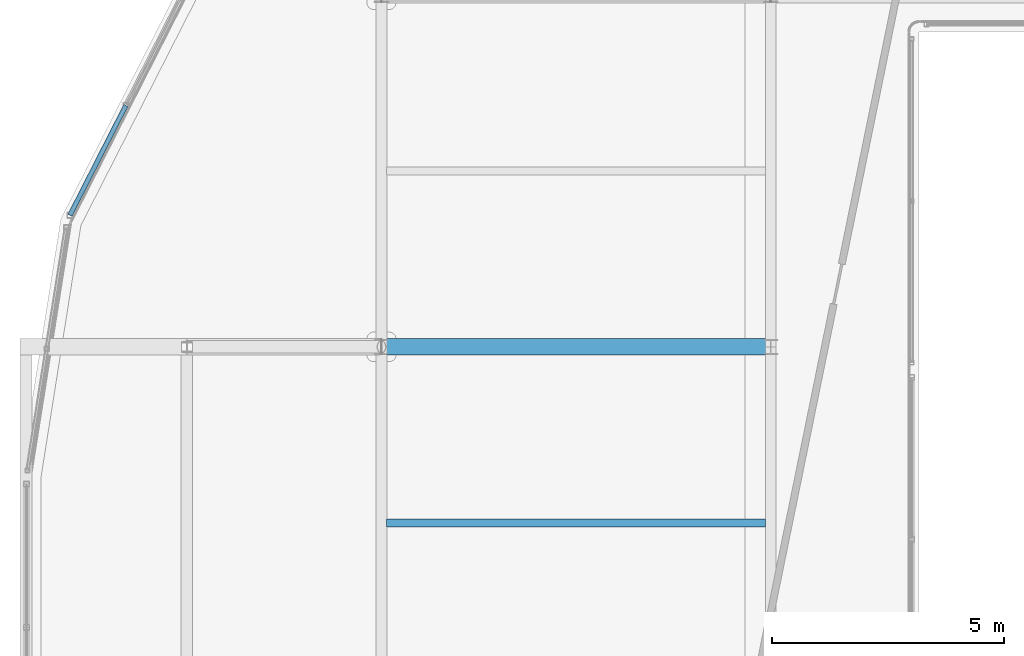
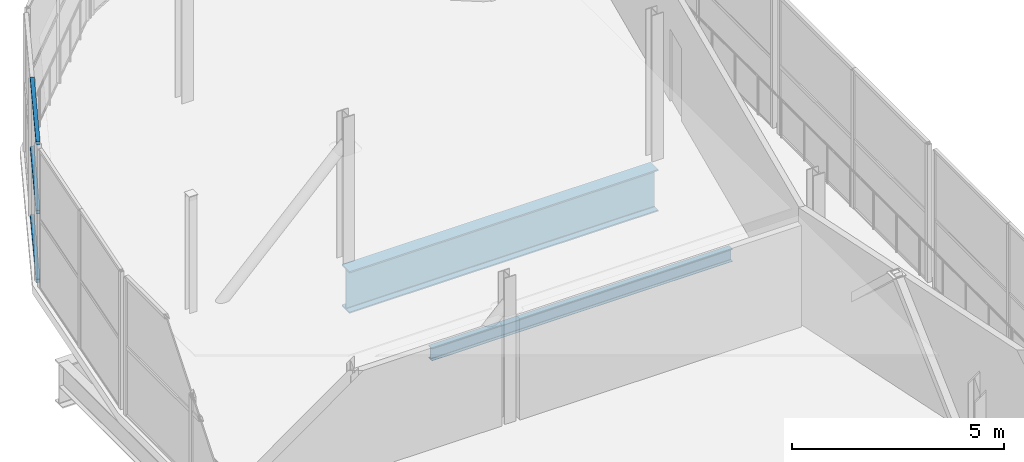
# One storey, part 52 of 151: 3 members, 2 beams, 1 element without a shape of its own.
"""IFC4 building model written with IfcOpenShell, lengths in metres."""

from ifc_helpers import new_model, si_unit, direction, frame, origin, origin_2d, place, context, subcontext, project, spatial, hollow_rectangle, i_section, extrude, material, material_profile, profile_set, type_object, element, aggregate, save


model = new_model("IFC4")

# Units and contexts
model_context = context("Model", 3, precision=1e-05, world=origin(), true_north=direction((0.0, 1.0)))
body_context = subcontext(model_context, "Body", "Model", "MODEL_VIEW")
ifc_project = project(units=[si_unit("LENGTHUNIT", "METRE"), si_unit("AREAUNIT", "SQUARE_METRE"), si_unit("VOLUMEUNIT", "CUBIC_METRE"), si_unit("PLANEANGLEUNIT", "RADIAN"), si_unit("MASSUNIT", "GRAM", prefix="KILO")], contexts=[model_context])

# Site, building, storey
site_placement = place(None, origin())
site = spatial("IfcSite", under=ifc_project, at=site_placement, CompositionType="ELEMENT")
building_placement = place(site_placement, origin())
building = spatial("IfcBuilding", under=site, at=building_placement, Name="Zuvorla Pavilion Media Centre", CompositionType="ELEMENT")
storey_placement = place(building_placement, frame((0.0, 0.0, 13.800048828125)))
storey = spatial("IfcBuildingStorey", under=building, at=storey_placement, Name="L03", CompositionType="ELEMENT", Elevation=13.800048828125)

# Beams
ifc_material_1 = material(Name="Steel S355", Category="steel")
ifc_material_profile_1 = material_profile(ifc_material_1, i_section(OverallWidth=0.360107421875, OverallDepth=1.199951171875, WebThickness=0.02001953125, FlangeThickness=0.0380859375, FilletRadius=0.02392578125, at=origin_2d()), Name="PG 1200x360x38")
ifc_profile_set_1 = profile_set([ifc_material_profile_1], Name="Steel S355")
beam_type_1 = type_object("IfcBeamType", Name="BM-PG1200", PredefinedType="BEAM", material=ifc_profile_set_1)
beam_1_placement = place(storey_placement, frame((24.800048828125, 74.39990234375, -0.858154296875), z_axis=(-1.0, 0.0, 0.0), x_axis=(0.0, -1.0, 0.0)))
element("IfcBeam", 1, at=beam_1_placement, inside=storey, type_object=beam_type_1, Name="L03 beam B01 1707", PredefinedType="BEAM", context=body_context, shape_type="SweptSolid", body=[
    extrude(i_section(OverallWidth=0.360107421875, OverallDepth=1.199951171875, WebThickness=0.02001953125, FlangeThickness=0.0380859375, FilletRadius=0.02392578125, at=origin_2d()), origin(), (0.0, 0.0, 1.0), 8.400146484375),
])
ifc_material_profile_2 = material_profile(ifc_material_1, i_section(OverallWidth=0.172119140625, OverallDepth=0.35791015625, WebThickness=0.008056640625, FlangeThickness=0.012939453125, FilletRadius=0.01025390625, at=origin_2d()), Name="UB 356x171x57")
ifc_profile_set_2 = profile_set([ifc_material_profile_2], Name="Steel S355")
beam_type_2 = type_object("IfcBeamType", Name="BM-UB356", PredefinedType="JOIST", material=ifc_profile_set_2)
beam_2_placement = place(storey_placement, frame((16.509521484375, 70.60009765625, -0.43701171875), z_axis=(1.0, 0.0, 0.0), x_axis=(0.0, 1.0, 0.0)))
element("IfcBeam", 2, at=beam_2_placement, inside=storey, type_object=beam_type_2, Name="L03 joist J03 1234", PredefinedType="JOIST", context=body_context, shape_type="SweptSolid", body=[
    extrude(i_section(OverallWidth=0.172119140625, OverallDepth=0.35791015625, WebThickness=0.008056640625, FlangeThickness=0.012939453125, FilletRadius=0.01025390625, at=origin_2d()), origin(), (0.0, 0.0, 1.0), 8.180908203125),
])

# Curtain wall, members
ifc_material_2 = material(Name="Unitised anodised aluminium and solar glass curtain wall", Category="aluminium")
curtain_wall_type = type_object("IfcCurtainWallType", Name="CW-SYS-02", PredefinedType="USERDEFINED", material=ifc_material_2)
curtain_wall_placement = place(storey_placement, origin())
curtain_wall = element("IfcCurtainWall", 3, at=curtain_wall_placement, inside=storey, type_object=curtain_wall_type, Name="L03 curtain wall CW02 124", ObjectType="CURTAIN WALL", PredefinedType="USERDEFINED")
ifc_material_3 = material(Name="Anodised aluminium 6063-T6", Category="aluminium")
ifc_material_profile_3 = material_profile(ifc_material_3, hollow_rectangle(XDim=0.10009765625, YDim=0.10009765625, WallThickness=0.00439453125, at=origin_2d()), Name="ALU TRAN 100x100")
ifc_profile_set_3 = profile_set([ifc_material_profile_3], Name="Anodised aluminium 6063-T6")
member_type = type_object("IfcMemberType", Name="CW-TRAN-100", PredefinedType="USERDEFINED", material=ifc_profile_set_3)
member_1_placement = place(storey_placement, frame((10.884033203125, 79.607666015625, 0.0), z_axis=(-0.453929912622, -0.891037392272, 0.0), x_axis=(0.891037392272, -0.453929912622, 0.0)))
member_1 = element("IfcMember", 4, at=member_1_placement, type_object=member_type, Name="CW02 transom 2.1", ObjectType="TRANSOM", PredefinedType="USERDEFINED", context=body_context, shape_type="SweptSolid", body=[
    extrude(hollow_rectangle(XDim=0.10009765625, YDim=0.10009765625, WallThickness=0.00439453125, at=origin_2d()), origin(), (0.0, 0.0, 1.0), 2.65576171875),
])
member_2_placement = place(storey_placement, frame((10.884033203125, 79.607666015625, 1.97998046875), z_axis=(-0.453929912622, -0.891037392272, 0.0), x_axis=(0.891037392272, -0.453929912622, 0.0)))
member_2 = element("IfcMember", 5, at=member_2_placement, type_object=member_type, Name="CW02 transom 2.2", ObjectType="TRANSOM", PredefinedType="USERDEFINED", context=body_context, shape_type="SweptSolid", body=[
    extrude(hollow_rectangle(XDim=0.10009765625, YDim=0.10009765625, WallThickness=0.00439453125, at=origin_2d()), origin(), (0.0, 0.0, 1.0), 2.65576171875),
])
member_3_placement = place(storey_placement, frame((10.884033203125, 79.607666015625, 3.9599609375), z_axis=(-0.453929912622, -0.891037392272, 0.0), x_axis=(0.891037392272, -0.453929912622, 0.0)))
member_3 = element("IfcMember", 6, at=member_3_placement, type_object=member_type, Name="CW02 transom 2.3", ObjectType="TRANSOM", PredefinedType="USERDEFINED", context=body_context, shape_type="SweptSolid", body=[
    extrude(hollow_rectangle(XDim=0.10009765625, YDim=0.10009765625, WallThickness=0.00439453125, at=origin_2d()), origin(), (0.0, 0.0, 1.0), 2.65576171875),
])
aggregate(curtain_wall, [member_1, member_2, member_3])

save(model, "model.ifc")
